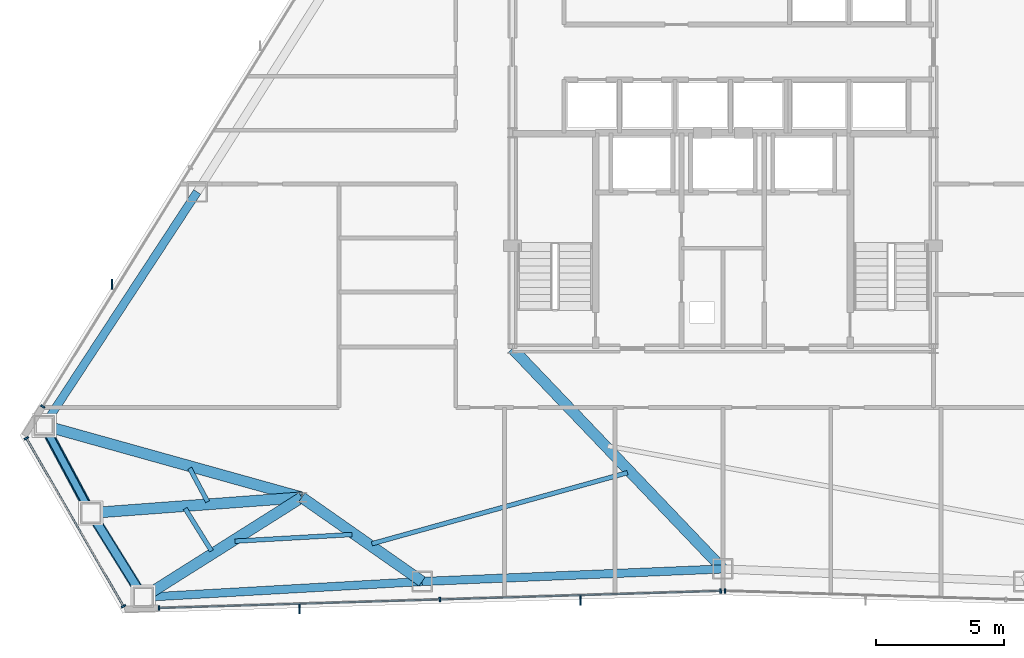
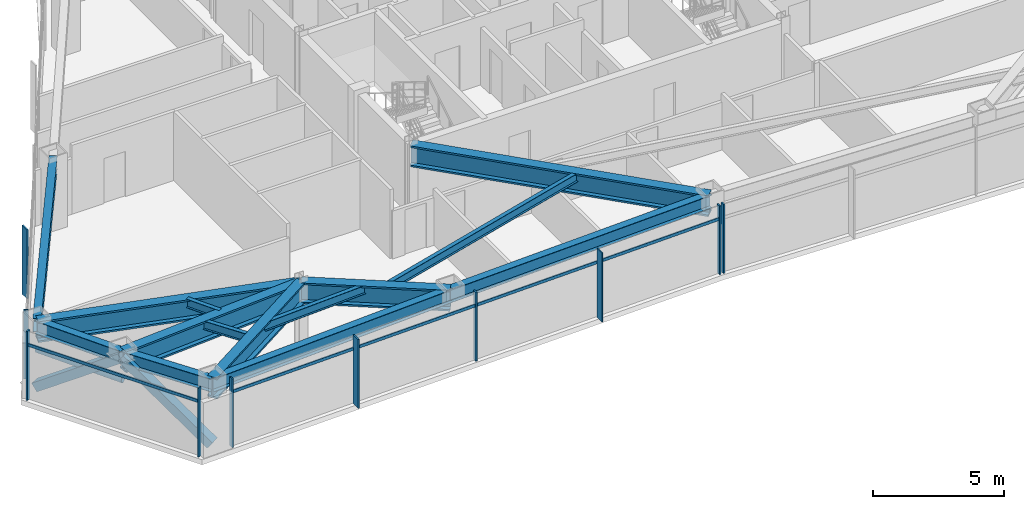
# One storey, part 3 of 13: 15 members, 14 beams, 4 elements without a shape of their own.
"""IFC4 building model written with IfcOpenShell, lengths in metres."""

import ifcopenshell
import ifcopenshell.guid

model = None  # the IFC model being written
_history = None  # IfcOwnerHistory: only IFC2X3 demands one
_inside = {}  # id of a spatial element -> (the spatial element, [elements in it])
_under = {}  # id of a project, library or spatial element -> (it, [spatial elements below it])
_declared = {}  # id of a project -> (the project, [libraries it declares])
_typed = {}  # id of a type object -> (the type object, [elements of that type])
_made_of = {}  # id of a material, layer set ... -> (it, [elements and type objects made of it])


def new_model(schema):
    """Start an empty IFC model of exactly this schema.

    Asked for "IFC4X3", IfcOpenShell would pick the latest addendum, in which some entities
    have other attributes; the version numbers below select the first issue.
    IFC2X3 requires an IfcOwnerHistory on every rooted entity: one is made here for all.
    """
    global model, _history
    if schema == "IFC4X3":
        model = ifcopenshell.file(schema_version=(4, 3, 0, 0))
    else:
        model = ifcopenshell.file(schema=schema)
    _inside.clear()
    _under.clear()
    _declared.clear()
    _typed.clear()
    _made_of.clear()
    _history = None
    if model.schema == "IFC2X3":
        org = make("IfcOrganization", Name="unknown")
        user = make(
            "IfcPersonAndOrganization",
            ThePerson=make("IfcPerson", FamilyName="unknown"),
            TheOrganization=org,
        )
        app = make(
            "IfcApplication",
            ApplicationDeveloper=org,
            Version="unknown",
            ApplicationFullName="unknown",
            ApplicationIdentifier="unknown",
        )
        _history = make(
            "IfcOwnerHistory",
            OwningUser=user,
            OwningApplication=app,
            ChangeAction="ADDED",
            CreationDate=0,
        )
    return model


def make(cls, **values):
    """One entity of the class cls with the attributes given. An attribute that is None is left unset."""
    return model.create_entity(
        cls, **{name: value for name, value in values.items() if value is not None}
    )


def rooted(cls, **values):
    """An entity with a GlobalId (a new one), such as an element, a storey or a relation."""
    return make(cls, GlobalId=ifcopenshell.guid.new(), OwnerHistory=_history, **values)


def si_unit(unit_type, name, prefix=None):
    """IfcSIUnit, for example si_unit("LENGTHUNIT", "METRE", prefix="MILLI")."""
    return make("IfcSIUnit", UnitType=unit_type, Prefix=prefix, Name=name)


def assignment(units):
    """IfcUnitAssignment: the units of a project."""
    return None if units is None else make("IfcUnitAssignment", Units=units)


def point(xyz):
    """IfcCartesianPoint."""
    return None if xyz is None else make("IfcCartesianPoint", Coordinates=xyz)


def direction(xyz):
    """IfcDirection."""
    return None if xyz is None else make("IfcDirection", DirectionRatios=xyz)


def frame(location, z_axis=None, x_axis=None):
    """IfcAxis2Placement3D, a coordinate frame: its origin and axes. An axis left out is left unset."""
    return make(
        "IfcAxis2Placement3D",
        Location=point(location),
        Axis=direction(z_axis),
        RefDirection=direction(x_axis),
    )


def frame_2d(location, x_axis=None):
    """IfcAxis2Placement2D, a coordinate frame in the plane: its origin and x axis."""
    return make(
        "IfcAxis2Placement2D", Location=point(location), RefDirection=direction(x_axis)
    )


def origin():
    """The frame at (0, 0, 0) with its axes left unset."""
    return frame((0.0, 0.0, 0.0))


def origin_2d():
    """The frame at (0, 0) in the plane with its x axis left unset."""
    return frame_2d((0.0, 0.0))


def place(relative_to, where):
    """IfcLocalPlacement: puts the frame where relative to a parent placement (None: the world)."""
    return make(
        "IfcLocalPlacement", PlacementRelTo=relative_to, RelativePlacement=where
    )


def context(
    kind, dimensions, precision=None, world=None, true_north=None, identifier=None
):
    """IfcGeometricRepresentationContext, for example the 3D "Model" context."""
    return make(
        "IfcGeometricRepresentationContext",
        ContextIdentifier=identifier,
        ContextType=kind,
        CoordinateSpaceDimension=dimensions,
        Precision=precision,
        WorldCoordinateSystem=world,
        TrueNorth=true_north,
    )


def subcontext(parent, identifier, kind, view, scale=None):
    """IfcGeometricRepresentationSubContext, for example "Body" below "Model"."""
    return make(
        "IfcGeometricRepresentationSubContext",
        ContextIdentifier=identifier,
        ContextType=kind,
        ParentContext=parent,
        TargetScale=scale,
        TargetView=view,
    )


def project(units=None, contexts=None):
    """IfcProject with its units and contexts."""
    return rooted(
        "IfcProject",
        Name="project",
        RepresentationContexts=contexts,
        UnitsInContext=assignment(units),
    )


def spatial(cls, under=None, at=None, **own):
    """A site, building, storey or space (cls), placed at a placement, below another one or the project."""
    s = rooted(cls, ObjectPlacement=at, **own)
    if under is not None:
        _under.setdefault(under.id(), (under, []))[1].append(s)
    return s


def profile(cls, at=None, kind="AREA", **sizes):
    """A parametric profile (cls). Its sizes go by their IFC names, for example OverallWidth=200.0."""
    return make(cls, ProfileType=kind, Position=at, **sizes)


def rectangle(**sizes):
    """IfcRectangleProfileDef."""
    return profile("IfcRectangleProfileDef", **sizes)


def hollow_rectangle(**sizes):
    """IfcRectangleHollowProfileDef."""
    return profile("IfcRectangleHollowProfileDef", **sizes)


def hollow_circle(**sizes):
    """IfcCircleHollowProfileDef."""
    return profile("IfcCircleHollowProfileDef", **sizes)


def i_section(**sizes):
    """IfcIShapeProfileDef."""
    return profile("IfcIShapeProfileDef", **sizes)


def extrude(swept, where, along, depth):
    """IfcExtrudedAreaSolid: the profile swept, set in the frame where, extruded along a direction by depth."""
    return make(
        "IfcExtrudedAreaSolid",
        SweptArea=swept,
        Position=where,
        ExtrudedDirection=direction(along),
        Depth=depth,
    )


def shape(context_of_items, identifier, shape_type, items):
    """IfcShapeRepresentation: the items that make up one representation, for example the "Body"."""
    return make(
        "IfcShapeRepresentation",
        ContextOfItems=context_of_items,
        RepresentationIdentifier=identifier,
        RepresentationType=shape_type,
        Items=items,
    )


def source(mapping_origin, context_of_items, identifier, shape_type, items):
    """IfcRepresentationMap: a shape defined once, which mapped items show again and again."""
    return make(
        "IfcRepresentationMap",
        MappingOrigin=mapping_origin,
        MappedRepresentation=shape(context_of_items, identifier, shape_type, items),
    )


def transform(
    local_origin,
    x_axis=None,
    y_axis=None,
    z_axis=None,
    scale=None,
    scale2=None,
    scale3=None,
    uniform=True,
):
    """IfcCartesianTransformationOperator3D, or its non-uniform kind. x_axis, y_axis, z_axis: its Axis1, 2, 3."""
    if uniform:
        return make(
            "IfcCartesianTransformationOperator3D",
            Axis1=direction(x_axis),
            Axis2=direction(y_axis),
            LocalOrigin=point(local_origin),
            Scale=scale,
            Axis3=direction(z_axis),
        )
    return make(
        "IfcCartesianTransformationOperator3DnonUniform",
        Axis1=direction(x_axis),
        Axis2=direction(y_axis),
        LocalOrigin=point(local_origin),
        Scale=scale,
        Axis3=direction(z_axis),
        Scale2=scale2,
        Scale3=scale3,
    )


def mapped(mapping_source, mapping_target):
    """IfcMappedItem: shows the shape of a source again, moved by a transform."""
    return make(
        "IfcMappedItem", MappingSource=mapping_source, MappingTarget=mapping_target
    )


def material(Name=None, Category=None):
    """IfcMaterial."""
    return make("IfcMaterial", Name=Name, Category=Category)


def layer(
    of_material, thickness, ventilated=None, Name=None, Category=None, Priority=None
):
    """IfcMaterialLayer: one layer of a wall or slab, of a material (None: an air gap)."""
    return make(
        "IfcMaterialLayer",
        Material=of_material,
        LayerThickness=thickness,
        IsVentilated=ventilated,
        Name=Name,
        Category=Category,
        Priority=Priority,
    )


def layer_set(layers, Name=None):
    """IfcMaterialLayerSet."""
    return make("IfcMaterialLayerSet", MaterialLayers=layers, LayerSetName=Name)


def material_profile(
    of_material, cross_section, Name=None, Category=None, Priority=None
):
    """IfcMaterialProfile: a cross section and its material."""
    return make(
        "IfcMaterialProfile",
        Name=Name,
        Material=of_material,
        Profile=cross_section,
        Priority=Priority,
        Category=Category,
    )


def profile_set(profiles, Name=None, composite=None):
    """IfcMaterialProfileSet."""
    return make(
        "IfcMaterialProfileSet",
        Name=Name,
        MaterialProfiles=profiles,
        CompositeProfile=composite,
    )


def made_of(thing, what):
    """Note that an element or type object is made of a material, layer set ...; save() writes the relation."""
    if what is not None:
        _made_of.setdefault(what.id(), (what, []))[1].append(thing)
    return thing


def type_object(cls, material=None, **own):
    """A type object (cls), such as IfcWallType, which elements share."""
    return made_of(rooted(cls, **own), material)


def type_shapes(of_type, sources):
    """Give a type object the sources (RepresentationMaps) that its elements show as mapped items."""
    of_type.RepresentationMaps = sources


def element(
    cls,
    number,
    at=None,
    inside=None,
    cuts=None,
    type_object=None,
    material=None,
    context=None,
    identifier="Body",
    shape_type=None,
    held_by="IfcProductDefinitionShape",
    body=None,
    shapes=None,
    **own,
):
    """One element of the class cls, such as IfcWall. Its Tag is "e" and its number.

    at: its placement. inside: the storey or other place that contains it. cuts: it is an
    opening in that element (IfcRelVoidsElement). A single representation is given by context,
    identifier, shape_type and body (its items); several are given by shapes. held_by: the class
    of the entity that holds the representations. save() writes the other relations.
    """
    e = rooted(cls, Tag="e%d" % number, ObjectPlacement=at, **own)
    if body is not None:
        shapes = [shape(context, identifier, shape_type, body)]
    if shapes is not None:
        e.Representation = make(held_by, Representations=shapes)
    if inside is not None:
        _inside.setdefault(inside.id(), (inside, []))[1].append(e)
    if cuts is not None:
        rooted(
            "IfcRelVoidsElement", RelatingBuildingElement=cuts, RelatedOpeningElement=e
        )
    if type_object is not None:
        _typed.setdefault(type_object.id(), (type_object, []))[1].append(e)
    return made_of(e, material)


def aggregate(whole, parts):
    """IfcRelAggregates: a whole, such as a stair, and the parts it consists of."""
    return rooted("IfcRelAggregates", RelatingObject=whole, RelatedObjects=parts)


def save(model, path):
    """Write the relations noted so far, then the file.

    IfcRelAggregates (storeys below a building ...), IfcRelContainedInSpatialStructure (elements
    in a storey), IfcRelDefinesByType, IfcRelAssociatesMaterial and IfcRelDeclares: one each for
    every whole, place, type object, material and project.
    """
    for whole, parts in _under.values():
        aggregate(whole, parts)
    for where, things in _inside.values():
        rooted(
            "IfcRelContainedInSpatialStructure",
            RelatedElements=things,
            RelatingStructure=where,
        )
    for kind, things in _typed.values():
        rooted("IfcRelDefinesByType", RelatedObjects=things, RelatingType=kind)
    for what, things in _made_of.values():
        rooted("IfcRelAssociatesMaterial", RelatedObjects=things, RelatingMaterial=what)
    for by, libraries in _declared.values():
        rooted("IfcRelDeclares", RelatingContext=by, RelatedDefinitions=libraries)
    model.write(path)


model = new_model("IFC4")

# Units and contexts
model_context = context("Model", 3, precision=1e-05, world=origin(), true_north=direction((0.0, 1.0)))
body_context = subcontext(model_context, "Body", "Model", "MODEL_VIEW")
ifc_project = project(units=[si_unit("LENGTHUNIT", "METRE"), si_unit("AREAUNIT", "SQUARE_METRE"), si_unit("VOLUMEUNIT", "CUBIC_METRE"), si_unit("PLANEANGLEUNIT", "RADIAN"), si_unit("MASSUNIT", "GRAM", prefix="KILO")], contexts=[model_context])

# Site, building, storey
site_placement = place(None, origin())
site = spatial("IfcSite", under=ifc_project, at=site_placement, CompositionType="ELEMENT")
building_placement = place(site_placement, origin())
building = spatial("IfcBuilding", under=site, at=building_placement, Name="Varakhsha Concourse Tower", CompositionType="ELEMENT")
storey_placement = place(building_placement, frame((0.0, 0.0, 168.89990234375)))
storey = spatial("IfcBuildingStorey", under=building, at=storey_placement, Name="L48", CompositionType="ELEMENT", Elevation=168.89990234375)

# Beams
ifc_material_1 = material(Name="Structural Steel ASTM A992 Grade 50", Category="steel")
ifc_material_profile_1 = material_profile(ifc_material_1, i_section(OverallWidth=0.177978515625, OverallDepth=0.406982421875, WebThickness=0.008056640625, FlangeThickness=0.012939453125, at=origin_2d()), Name="W16X40")
ifc_profile_set_1 = profile_set([ifc_material_profile_1], Name="Structural Steel ASTM A992 Grade 50")
beam_type_1 = type_object("IfcBeamType", Name="BM-JST-W16X40", PredefinedType="JOIST", material=ifc_profile_set_1)
beam_1_placement = place(storey_placement, frame((19.23583984375, 11.73388671875, 3.006591796875), z_axis=(0.472427315469, -0.881369633921, 0.0), x_axis=(0.881369633921, 0.472427315469, 0.0)))
element("IfcBeam", 1, at=beam_1_placement, inside=storey, type_object=beam_type_1, Name="BM-TJST-L48-07", PredefinedType="JOIST", context=body_context, shape_type="SweptSolid", body=[
    extrude(i_section(OverallWidth=0.177978515625, OverallDepth=0.406982421875, WebThickness=0.008056640625, FlangeThickness=0.012939453125, at=origin_2d()), origin(), (0.0, 0.0, 1.0), 1.48046875),
])
beam_2_placement = place(storey_placement, frame((19.059814453125, 10.165283203125, 3.006591796875), z_axis=(0.527253458324, -0.849708062034, 0.0), x_axis=(0.849708062034, 0.527253458324, 0.0)))
element("IfcBeam", 2, at=beam_2_placement, inside=storey, type_object=beam_type_1, Name="BM-TJST-L48-08", PredefinedType="JOIST", context=body_context, shape_type="SweptSolid", body=[
    extrude(i_section(OverallWidth=0.177978515625, OverallDepth=0.406982421875, WebThickness=0.008056640625, FlangeThickness=0.012939453125, at=origin_2d()), origin(), (0.0, 0.0, 1.0), 1.9443359375),
])
beam_3_placement = place(storey_placement, frame((20.99365234375, 8.89306640625, 3.006591796875), z_axis=(0.998392496676, 0.056678237279, 0.0), x_axis=(-0.056678237279, 0.998392496676, 0.0)))
element("IfcBeam", 3, at=beam_3_placement, inside=storey, type_object=beam_type_1, Name="BM-TJST-L48-09", PredefinedType="JOIST", context=body_context, shape_type="SweptSolid", body=[
    extrude(i_section(OverallWidth=0.177978515625, OverallDepth=0.406982421875, WebThickness=0.008056640625, FlangeThickness=0.012939453125, at=origin_2d()), origin(), (0.0, 0.0, 1.0), 4.56591796875),
])
beam_4_placement = place(storey_placement, frame((26.330322265625, 8.794189453125, 3.006591796875), z_axis=(0.96347660105, 0.267792530195, 0.0), x_axis=(-0.267792530195, 0.96347660105, 0.0)))
element("IfcBeam", 4, at=beam_4_placement, inside=storey, type_object=beam_type_1, Name="BM-TJST-L48-10", PredefinedType="JOIST", context=body_context, shape_type="SweptSolid", body=[
    extrude(i_section(OverallWidth=0.177978515625, OverallDepth=0.406982421875, WebThickness=0.008056640625, FlangeThickness=0.012939453125, at=origin_2d()), origin(), (0.0, 0.0, 1.0), 10.3330078125),
])
ifc_material_profile_2 = material_profile(ifc_material_1, i_section(OverallWidth=0.323974609375, OverallDepth=0.611083984375, WebThickness=0.012939453125, FlangeThickness=0.01904296875, at=origin_2d()), Name="W24X104")
ifc_profile_set_2 = profile_set([ifc_material_profile_2], Name="Structural Steel ASTM A992 Grade 50")
beam_type_2 = type_object("IfcBeamType", Name="BM-SPAN-W24X104", PredefinedType="SPANDREL", material=ifc_profile_set_2)
beam_5_placement = place(storey_placement, frame((19.52734375, 22.494384765625, 2.904541015625), z_axis=(-0.548266128306, -0.836303923555, 0.0), x_axis=(0.836303923555, -0.548266128306, 0.0)))
element("IfcBeam", 5, at=beam_5_placement, inside=storey, type_object=beam_type_2, Name="BM-SPAN-L48-06", PredefinedType="SPANDREL", context=body_context, shape_type="SweptSolid", body=[
    extrude(i_section(OverallWidth=0.323974609375, OverallDepth=0.611083984375, WebThickness=0.012939453125, FlangeThickness=0.01904296875, at=origin_2d()), origin(), (0.0, 0.0, 1.0), 10.877197265625),
])
for number, where, z_axis, x_axis, name in (
    (6, (13.563720703125, 13.397705078125, 2.904541015625), (0.472226671097, -0.881477152911, 0.0), (0.881477152911, 0.472226671097, 0.0), "BM-SPAN-L48-07"),
    (7, (15.388916015625, 9.99072265625, 2.904541015625), (0.52724807345, -0.849711403385, 0.0), (0.849711403385, 0.52724807345, 0.0), "BM-SPAN-L48-08"),
):
    element("IfcBeam", number, at=place(storey_placement, frame(where, z_axis=z_axis, x_axis=x_axis)), inside=storey, type_object=beam_type_2, Name=name, PredefinedType="SPANDREL", context=body_context, shape_type="SweptSolid", body=[
        extrude(i_section(OverallWidth=0.323974609375, OverallDepth=0.611083984375, WebThickness=0.012939453125, FlangeThickness=0.01904296875, at=origin_2d()), origin(), (0.0, 0.0, 1.0), 3.864990234375),
    ])
beam_6_placement = place(storey_placement, frame((17.4267578125, 6.70654296875, 2.904541015625), z_axis=(0.998392776911, 0.056673300699, 0.0), x_axis=(-0.056673300699, 0.998392776911, 0.0)))
element("IfcBeam", 8, at=beam_6_placement, inside=storey, type_object=beam_type_2, Name="BM-SPAN-L48-09", PredefinedType="SPANDREL", context=body_context, shape_type="SweptSolid", body=[
    extrude(i_section(OverallWidth=0.323974609375, OverallDepth=0.611083984375, WebThickness=0.012939453125, FlangeThickness=0.01904296875, at=origin_2d()), origin(), (0.0, 0.0, 1.0), 10.87744140625),
])
beam_7_placement = place(storey_placement, frame((28.28662109375, 7.322998046875, 2.904541015625), z_axis=(0.999128809081, 0.041732755292, 0.0), x_axis=(-0.041732755292, 0.999128809081, 0.0)))
element("IfcBeam", 9, at=beam_7_placement, inside=storey, type_object=beam_type_2, Name="BM-SPAN-L48-10", PredefinedType="SPANDREL", context=body_context, shape_type="SweptSolid", body=[
    extrude(i_section(OverallWidth=0.323974609375, OverallDepth=0.611083984375, WebThickness=0.012939453125, FlangeThickness=0.01904296875, at=origin_2d()), origin(), (0.0, 0.0, 1.0), 11.7236328125),
])
ifc_material_profile_3 = material_profile(ifc_material_1, i_section(OverallWidth=0.427978515625, OverallDepth=0.97509765625, WebThickness=0.050048828125, FlangeThickness=0.0810546875, at=origin_2d()), Name="W36X395")
ifc_profile_set_3 = profile_set([ifc_material_profile_3], Name="Structural Steel ASTM A992 Grade 50")
beam_type_3 = type_object("IfcBeamType", Name="BM-XFER-W36X395", PredefinedType="USERDEFINED", material=ifc_profile_set_3)
beam_8_placement = place(storey_placement, frame((23.60009765625, 10.60009765625, 2.72265625), z_axis=(-0.963276818964, 0.268510279221, 0.0), x_axis=(-0.268510279221, -0.963276818964, 0.0)))
element("IfcBeam", 10, at=beam_8_placement, inside=storey, type_object=beam_type_3, Name="L48 Radial Floor Girder 07", ObjectType="GIRDER", PredefinedType="USERDEFINED", context=body_context, shape_type="SweptSolid", body=[
    extrude(i_section(OverallWidth=0.427978515625, OverallDepth=0.97509765625, WebThickness=0.050048828125, FlangeThickness=0.0810546875, at=origin_2d()), origin(), (0.0, 0.0, 1.0), 10.4189453125),
])
beam_9_placement = place(storey_placement, frame((23.60009765625, 10.60009765625, 2.72265625), z_axis=(-0.99725755111, -0.074009301804, 0.0), x_axis=(0.074009301804, -0.99725755111, 0.0)))
element("IfcBeam", 11, at=beam_9_placement, inside=storey, type_object=beam_type_3, Name="L48 Radial Floor Girder 08", ObjectType="GIRDER", PredefinedType="USERDEFINED", context=body_context, shape_type="SweptSolid", body=[
    extrude(i_section(OverallWidth=0.427978515625, OverallDepth=0.97509765625, WebThickness=0.050048828125, FlangeThickness=0.0810546875, at=origin_2d()), origin(), (0.0, 0.0, 1.0), 8.233642578125),
])
beam_10_placement = place(storey_placement, frame((23.60009765625, 10.60009765625, 2.72265625), z_axis=(-0.845822577747, -0.533464307123, 0.0), x_axis=(0.533464307123, -0.845822577747, 0.0)))
element("IfcBeam", 12, at=beam_10_placement, inside=storey, type_object=beam_type_3, Name="L48 Radial Floor Girder 09", ObjectType="GIRDER", PredefinedType="USERDEFINED", context=body_context, shape_type="SweptSolid", body=[
    extrude(i_section(OverallWidth=0.427978515625, OverallDepth=0.97509765625, WebThickness=0.050048828125, FlangeThickness=0.0810546875, at=origin_2d()), origin(), (0.0, 0.0, 1.0), 7.298583984375),
])
beam_11_placement = place(storey_placement, frame((23.60009765625, 10.60009765625, 2.72265625), z_axis=(0.81951662418, -0.573055409792, 0.0), x_axis=(0.573055409792, 0.81951662418, 0.0)))
element("IfcBeam", 13, at=beam_11_placement, inside=storey, type_object=beam_type_3, Name="L48 Radial Floor Girder 10", ObjectType="GIRDER", PredefinedType="USERDEFINED", context=body_context, shape_type="SweptSolid", body=[
    extrude(i_section(OverallWidth=0.427978515625, OverallDepth=0.97509765625, WebThickness=0.050048828125, FlangeThickness=0.0810546875, at=origin_2d()), origin(), (0.0, 0.0, 1.0), 5.71875),
])
beam_12_placement = place(storey_placement, frame((31.800048828125, 16.39990234375, 2.72265625), z_axis=(0.690592614806, -0.723243970161, 0.0), x_axis=(0.723243970161, 0.690592614806, 0.0)))
element("IfcBeam", 14, at=beam_12_placement, inside=storey, type_object=beam_type_3, Name="L48 Radial Floor Girder 11", ObjectType="GIRDER", PredefinedType="USERDEFINED", context=body_context, shape_type="SweptSolid", body=[
    extrude(i_section(OverallWidth=0.427978515625, OverallDepth=0.97509765625, WebThickness=0.050048828125, FlangeThickness=0.0810546875, at=origin_2d()), origin(), (0.0, 0.0, 1.0), 11.873779296875),
])

# Members
ifc_material_2 = material(Name="Structural Steel ASTM A500 Grade C", Category="steel")
ifc_material_profile_4 = material_profile(ifc_material_2, hollow_rectangle(XDim=0.39990234375, YDim=0.39990234375, WallThickness=0.01611328125, at=origin_2d()), Name="HSS 400x400x16")
ifc_profile_set_4 = profile_set([ifc_material_profile_4], Name="Structural Steel ASTM A500 Grade C")
member_type_1 = type_object("IfcMemberType", Name="MB-TUBE-HSS400", PredefinedType="BRACE", material=ifc_profile_set_4)
shared_shape_1 = source(origin(), body_context, "Body", "SweptSolid", [
    extrude(hollow_rectangle(XDim=0.39990234375, YDim=0.39990234375, WallThickness=0.01611328125, at=origin_2d()), origin(), (0.0, 0.0, 1.0), 4.766845703125),
])
type_shapes(member_type_1, [shared_shape_1])
for number, where, z_axis, x_axis, name in (
    (15, (13.563720703125, 13.397705078125, 0.1201171875), (0.382890632553, -0.71471893757, 0.585296167578), (0.881477152911, 0.472226671097, 0.0), "L48 Wind-Corner Tube Brace B03"),
    (16, (17.4267578125, 6.70654296875, 0.1201171875), (-0.427501927129, 0.688960815112, 0.585299152178), (-0.849711403385, -0.52724807345, 0.0), "L48 Wind-Corner Tube Brace B04"),
):
    element("IfcMember", number, at=place(storey_placement, frame(where, z_axis=z_axis, x_axis=x_axis)), inside=storey, type_object=member_type_1, Name=name, PredefinedType="BRACE", context=body_context, shape_type="MappedRepresentation", body=[
        mapped(shared_shape_1, transform((0.0, 0.0, 0.0), scale=1.0)),
    ])
ifc_material_profile_5 = material_profile(ifc_material_2, hollow_circle(Radius=0.136474609375, WallThickness=0.011962890625, at=origin_2d()), Name="CHS 273x12")
ifc_profile_set_5 = profile_set([ifc_material_profile_5], Name="Structural Steel ASTM A500 Grade C")
member_type_2 = type_object("IfcMemberType", Name="MB-WIND-CHS273", PredefinedType="COLLAR", material=ifc_profile_set_5)
shared_shape_2 = source(origin(), body_context, "Body", "SweptSolid", [
    extrude(hollow_circle(Radius=0.136474609375, WallThickness=0.011962890625, at=origin_2d()), origin(), (0.0, 0.0, 1.0), 3.864990234375),
])
type_shapes(member_type_2, [shared_shape_2])
member_1_placement = place(storey_placement, frame((13.563720703125, 13.397705078125, 1.800048828125), z_axis=(0.472226671097, -0.881477152911, 0.0), x_axis=(0.881477152911, 0.472226671097, 0.0)))
element("IfcMember", 17, at=member_1_placement, inside=storey, type_object=member_type_2, Name="L48 Wind-Corner Collar Tie 2", PredefinedType="COLLAR", context=body_context, shape_type="MappedRepresentation", body=[
    mapped(shared_shape_2, transform((0.0, 0.0, 0.0), scale=1.0)),
])

# Curtain wall, member
ifc_material_3 = material(Name="Anodised Bronze Architectural Aluminium AA 6063-T6", Category="aluminium")
ifc_layer = layer(ifc_material_3, 0.2099609375, Name="CW-SYS-04")
ifc_layer_set = layer_set([ifc_layer], Name="Anodised Bronze Architectural Aluminium AA 6063-T6")
curtain_wall_type = type_object("IfcCurtainWallType", Name="CW-SYS-04", PredefinedType="NOTDEFINED", material=ifc_layer_set)
curtain_wall_1_placement = place(storey_placement, origin())
curtain_wall_1 = element("IfcCurtainWall", 18, at=curtain_wall_1_placement, inside=storey, type_object=curtain_wall_type, Name="L48 Crystal Curtain Wall F3", PredefinedType="NOTDEFINED")
ifc_material_profile_6 = material_profile(ifc_material_3, rectangle(XDim=0.06005859375, YDim=0.3798828125, at=origin_2d()), Name="FIN-BRZ-380")
ifc_profile_set_6 = profile_set([ifc_material_profile_6], Name="Anodised Bronze Architectural Aluminium AA 6063-T6")
member_type_3 = type_object("IfcMemberType", Name="FIN-BRZ-380", PredefinedType="USERDEFINED", material=ifc_profile_set_6)
shared_shape_3 = source(origin(), body_context, "Body", "SweptSolid", [
    extrude(rectangle(XDim=0.06005859375, YDim=0.3798828125, at=origin_2d()), origin(), (0.0, 0.0, 1.0), 3.210205078125),
])
type_shapes(member_type_3, [shared_shape_3])
member_2_placement = place(storey_placement, frame((16.214599609375, 18.8984375, 0.0), z_axis=(0.0, 0.0, 1.0), x_axis=(1.0, 0.0, 0.0)))
member_2 = element("IfcMember", 19, at=member_2_placement, type_object=member_type_3, Name="L48 Anodised Bronze Solar Fin F3-1", ObjectType="SOLAR FIN", PredefinedType="USERDEFINED", context=body_context, shape_type="MappedRepresentation", body=[
    mapped(shared_shape_3, transform((0.0, 0.0, 0.0), scale=1.0)),
])

# Curtain wall, members
curtain_wall_2_placement = place(storey_placement, origin())
curtain_wall_2 = element("IfcCurtainWall", 20, at=curtain_wall_2_placement, inside=storey, type_object=curtain_wall_type, Name="L48 Crystal Curtain Wall F5", PredefinedType="NOTDEFINED")
member_3_placement = place(storey_placement, frame((34.452880859375, 6.5859375, 0.0), z_axis=(0.0, 0.0, 1.0), x_axis=(1.0, 0.0, 0.0)))
member_3 = element("IfcMember", 21, at=member_3_placement, type_object=member_type_3, Name="L48 Anodised Bronze Solar Fin F5-1", ObjectType="SOLAR FIN", PredefinedType="USERDEFINED", context=body_context, shape_type="MappedRepresentation", body=[
    mapped(shared_shape_3, transform((0.0, 0.0, 0.0), scale=1.0)),
])
member_4_placement = place(storey_placement, frame((23.51611328125, 6.251953125, 0.0), z_axis=(0.0, 0.0, 1.0), x_axis=(1.0, 0.0, 0.0)))
member_4 = element("IfcMember", 22, at=member_4_placement, type_object=member_type_3, Name="L48 Anodised Bronze Solar Fin F5-2", ObjectType="SOLAR FIN", PredefinedType="USERDEFINED", context=body_context, shape_type="MappedRepresentation", body=[
    mapped(shared_shape_3, transform((0.0, 0.0, 0.0), scale=1.0)),
])
ifc_material_profile_7 = material_profile(ifc_material_3, rectangle(XDim=0.06005859375, YDim=0.139892578125, at=origin_2d()), Name="CWT-140X60")
ifc_profile_set_7 = profile_set([ifc_material_profile_7], Name="Anodised Bronze Architectural Aluminium AA 6063-T6")
member_type_4 = type_object("IfcMemberType", Name="CWT-140X60", PredefinedType="USERDEFINED", material=ifc_profile_set_7)
shared_shape_4 = source(origin(), body_context, "Body", "SweptSolid", [
    extrude(rectangle(XDim=0.06005859375, YDim=0.139892578125, at=origin_2d()), origin(), (0.0, 0.0, 1.0), 21.88427734375),
])
member_5_placement = place(storey_placement, frame((39.915283203125, 6.957763671875, 2.56005859375), z_axis=(-0.999534069287, -0.030522849386, 0.0), x_axis=(0.030522849386, -0.999534069287, 0.0)))
member_5 = element("IfcMember", 23, at=member_5_placement, type_object=member_type_4, Name="CW-L48-F5 Transom 01", ObjectType="TRANSOM", PredefinedType="USERDEFINED", context=body_context, shape_type="MappedRepresentation", body=[
    mapped(shared_shape_4, transform((0.0, 0.0, 0.0), scale=1.0)),
])

# Curtain wall, member
curtain_wall_3_placement = place(storey_placement, origin())
curtain_wall_3 = element("IfcCurtainWall", 24, at=curtain_wall_3_placement, inside=storey, type_object=curtain_wall_type, Name="L48 Chamfer Curtain Wall F4", PredefinedType="NOTDEFINED")
shared_shape_5 = source(origin(), body_context, "Body", "SweptSolid", [
    extrude(rectangle(XDim=0.06005859375, YDim=0.139892578125, at=origin_2d()), origin(), (0.0, 0.0, 1.0), 7.56005859375),
])
type_shapes(member_type_4, [shared_shape_4, shared_shape_5])
member_6_placement = place(storey_placement, frame((16.655517578125, 6.357177734375, 2.56005859375), z_axis=(-0.500004791531, 0.866022637375, 0.0), x_axis=(-0.866022637375, -0.500004791531, 0.0)))
member_6 = element("IfcMember", 25, at=member_6_placement, type_object=member_type_4, Name="CW-L48-F4 Transom 01", ObjectType="TRANSOM", PredefinedType="USERDEFINED", context=body_context, shape_type="MappedRepresentation", body=[
    mapped(shared_shape_5, transform((0.0, 0.0, 0.0), scale=1.0)),
])

# Member
ifc_material_profile_8 = material_profile(ifc_material_3, rectangle(XDim=0.06494140625, YDim=0.179931640625, at=origin_2d()), Name="CWM-180X65")
ifc_profile_set_8 = profile_set([ifc_material_profile_8], Name="Anodised Bronze Architectural Aluminium AA 6063-T6")
member_type_5 = type_object("IfcMemberType", Name="CWM-180X65", PredefinedType="MULLION", material=ifc_profile_set_8)
shared_shape_6 = source(origin(), body_context, "Body", "SweptSolid", [
    extrude(rectangle(XDim=0.06494140625, YDim=0.179931640625, at=origin_2d()), origin(), (0.0, 0.0, 1.0), 3.210205078125),
])
type_shapes(member_type_5, [shared_shape_6])
member_7_placement = place(storey_placement, frame((13.510009765625, 14.13818359375, 0.0), z_axis=(0.0, 0.0, 1.0), x_axis=(0.526199082126, 0.850361409032, 0.0)))
member_7 = element("IfcMember", 26, at=member_7_placement, type_object=member_type_5, Name="CW-L48-F3 Mullion 00", PredefinedType="MULLION", context=body_context, shape_type="MappedRepresentation", body=[
    mapped(shared_shape_6, transform((0.0, 0.0, 0.0), scale=1.0)),
])

aggregate(curtain_wall_1, [member_7, member_2])

member_8_placement = place(storey_placement, frame((16.655517578125, 6.357177734375, 0.0), z_axis=(0.0, 0.0, 1.0), x_axis=(-0.499990930976, 0.866030639725, 0.0)))
member_8 = element("IfcMember", 27, at=member_8_placement, type_object=member_type_5, Name="CW-L48-F4 Mullion 00", PredefinedType="MULLION", context=body_context, shape_type="MappedRepresentation", body=[
    mapped(shared_shape_6, transform((0.0, 0.0, 0.0), scale=1.0)),
])

member_9_placement = place(storey_placement, frame((12.87548828125, 12.904296875, 0.0), z_axis=(0.0, 0.0, 1.0), x_axis=(-0.499990930976, 0.866030639725, 0.0)))
member_9 = element("IfcMember", 28, at=member_9_placement, type_object=member_type_5, Name="CW-L48-F4 Mullion 01", PredefinedType="MULLION", context=body_context, shape_type="MappedRepresentation", body=[
    mapped(shared_shape_6, transform((0.0, 0.0, 0.0), scale=1.0)),
])

aggregate(curtain_wall_3, [member_8, member_9, member_6])

member_10_placement = place(storey_placement, frame((39.915283203125, 6.957763671875, 0.0), z_axis=(0.0, 0.0, 1.0), x_axis=(-0.999534017137, -0.030524557085, 0.0)))
member_10 = element("IfcMember", 29, at=member_10_placement, type_object=member_type_5, Name="CW-L48-F5 Mullion 00", PredefinedType="MULLION", context=body_context, shape_type="MappedRepresentation", body=[
    mapped(shared_shape_6, transform((0.0, 0.0, 0.0), scale=1.0)),
])

member_11_placement = place(storey_placement, frame((28.978271484375, 6.623779296875, 0.0), z_axis=(0.0, 0.0, 1.0), x_axis=(-0.999534017137, -0.030524557085, 0.0)))
member_11 = element("IfcMember", 30, at=member_11_placement, type_object=member_type_5, Name="CW-L48-F5 Mullion 01", PredefinedType="MULLION", context=body_context, shape_type="MappedRepresentation", body=[
    mapped(shared_shape_6, transform((0.0, 0.0, 0.0), scale=1.0)),
])

member_12_placement = place(storey_placement, frame((18.041259765625, 6.289794921875, 0.0), z_axis=(0.0, 0.0, 1.0), x_axis=(-0.999534017137, -0.030524557085, 0.0)))
member_12 = element("IfcMember", 31, at=member_12_placement, type_object=member_type_5, Name="CW-L48-F5 Mullion 02", PredefinedType="MULLION", context=body_context, shape_type="MappedRepresentation", body=[
    mapped(shared_shape_6, transform((0.0, 0.0, 0.0), scale=1.0)),
])

aggregate(curtain_wall_2, [member_10, member_11, member_12, member_5, member_3, member_4])

# Curtain wall, member
curtain_wall_4_placement = place(storey_placement, origin())
curtain_wall_4 = element("IfcCurtainWall", 32, at=curtain_wall_4_placement, inside=storey, type_object=curtain_wall_type, Name="L48 Crystal Curtain Wall F6", PredefinedType="NOTDEFINED")
member_13_placement = place(storey_placement, frame((40.084716796875, 6.957763671875, 0.0), z_axis=(0.0, 0.0, 1.0), x_axis=(-0.999534017137, 0.030524557085, 0.0)))
member_13 = element("IfcMember", 33, at=member_13_placement, type_object=member_type_5, Name="CW-L48-F6 Mullion 02", PredefinedType="MULLION", context=body_context, shape_type="MappedRepresentation", body=[
    mapped(shared_shape_6, transform((0.0, 0.0, 0.0), scale=1.0)),
])
aggregate(curtain_wall_4, [member_13])

save(model, "model.ifc")
